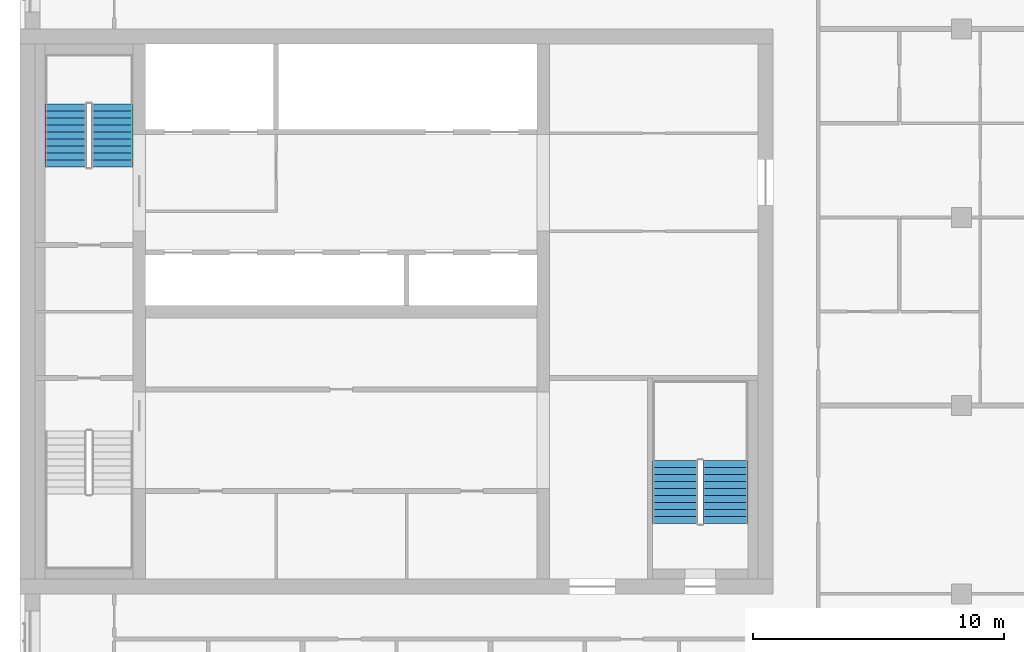
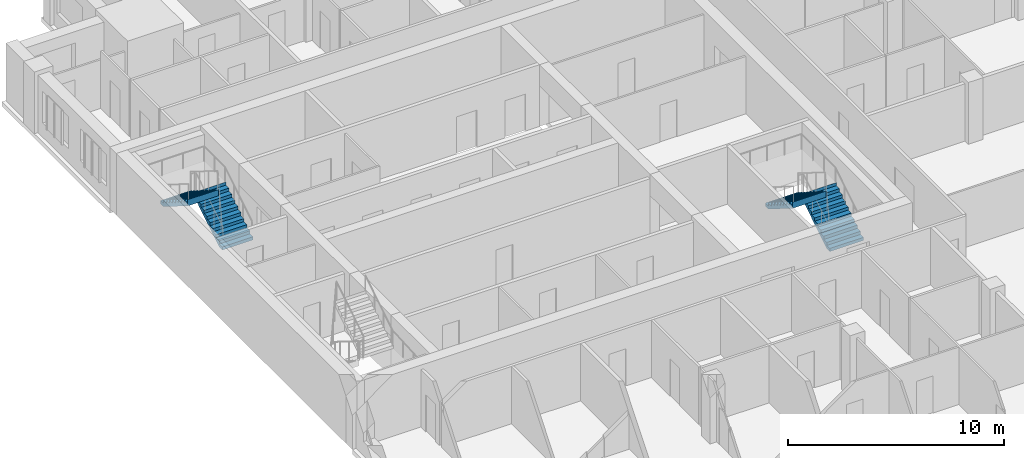
# One storey, part 9 of 10: 4 stair flights, 2 elements without a shape of their own.
"""IFC4 building model written with IfcOpenShell, lengths in metres."""

from ifc_helpers import new_model, si_unit, direction, frame, origin, place, context, subcontext, project, spatial, polyline, outline, extrude, material, type_object, element, aggregate, save


model = new_model("IFC4")

# Units and contexts
model_context = context("Model", 3, precision=1e-05, world=origin(), true_north=direction((0.0, 1.0)))
body_context = subcontext(model_context, "Body", "Model", "MODEL_VIEW")
ifc_project = project(units=[si_unit("LENGTHUNIT", "METRE"), si_unit("AREAUNIT", "SQUARE_METRE"), si_unit("VOLUMEUNIT", "CUBIC_METRE"), si_unit("PLANEANGLEUNIT", "RADIAN"), si_unit("MASSUNIT", "GRAM", prefix="KILO")], contexts=[model_context])

# Site, building, storey
site_placement = place(None, origin())
site = spatial("IfcSite", under=ifc_project, at=site_placement, CompositionType="ELEMENT")
building_placement = place(site_placement, origin())
building = spatial("IfcBuilding", under=site, at=building_placement, Name="Tamorin Gate", CompositionType="ELEMENT")
storey_placement = place(building_placement, frame((0.0, 0.0, 223.199951171875)))
storey = spatial("IfcBuildingStorey", under=building, at=storey_placement, Name="L55", CompositionType="ELEMENT", Elevation=223.199951171875)

# Stair, stair flights
ifc_material = material(Name="Concrete C40/50", Category="concrete")
stair_type = type_object("IfcStairType", Name="Exit stair", PredefinedType="HALF_TURN_STAIR", material=ifc_material)
stair_1_placement = place(storey_placement, origin())
stair_1 = element("IfcStair", 1, at=stair_1_placement, inside=storey, type_object=stair_type, Name="L55 stair ST2", PredefinedType="HALF_TURN_STAIR")
stair_flight_type = type_object("IfcStairFlightType", Name="Exit stair flight", PredefinedType="STRAIGHT", material=ifc_material)
stair_flight_1_placement = place(storey_placement, frame((33.675048828125, 77.0, 0.0), z_axis=(0.0, 0.0, 1.0), x_axis=(0.0, 1.0, 0.0)))
stair_flight_1 = element("IfcStairFlight", 2, at=stair_flight_1_placement, type_object=stair_flight_type, Name="ST2 flight 1", NumberOfRisers=10, NumberOfTreads=9, PredefinedType="STRAIGHT", RiserHeight=0.175, TreadLength=0.28, context=body_context, shape_type="SweptSolid", body=[
    extrude(outline(polyline([(-0.00048828125, 0.0), (-0.00048828125, 0.001708984375), (-0.00048828125, 0.00341796875), (-0.00048828125, 0.005126953125), (-0.00048828125, 0.0068359375), (-0.00048828125, 0.008544921875), (-0.00048828125, 0.010498046875), (-0.00048828125, 0.01220703125), (-0.00048828125, 0.013916015625), (-0.00048828125, 0.015625), (-0.00048828125, 0.017333984375), (-0.00048828125, 0.01904296875), (-0.00048828125, 0.020751953125), (-0.00048828125, 0.0224609375), (-0.00048828125, 0.024169921875), (-0.00048828125, 0.02587890625), (-0.00048828125, 0.02783203125), (-0.00048828125, 0.029541015625), (-0.00048828125, 0.03125), (-0.00048828125, 0.032958984375), (-0.00048828125, 0.03466796875), (-0.00048828125, 0.036376953125), (-0.00048828125, 0.0380859375), (-0.00048828125, 0.039794921875), (-0.00048828125, 0.04150390625), (-0.00048828125, 0.043212890625), (-0.00048828125, 0.045166015625), (-0.00048828125, 0.046875), (-0.00048828125, 0.048583984375), (-0.00048828125, 0.05029296875), (-0.00048828125, 0.052001953125), (-0.00048828125, 0.0537109375), (-0.00048828125, 0.055419921875), (-0.00048828125, 0.05712890625), (-0.00048828125, 0.058837890625), (-0.00048828125, 0.060546875), (-0.00048828125, 0.062255859375), (-0.00048828125, 0.064208984375), (-0.00048828125, 0.06591796875), (-0.00048828125, 0.067626953125), (-0.00048828125, 0.0693359375), (-0.00048828125, 0.071044921875), (-0.00048828125, 0.07275390625), (-0.00048828125, 0.074462890625), (-0.00048828125, 0.076171875), (-0.00048828125, 0.077880859375), (-0.00048828125, 0.07958984375), (-0.00048828125, 0.08154296875), (-0.00048828125, 0.083251953125), (-0.00048828125, 0.0849609375), (-0.00048828125, 0.086669921875), (-0.00048828125, 0.08837890625), (-0.00048828125, 0.090087890625), (-0.00048828125, 0.091796875), (-0.00048828125, 0.093505859375), (-0.00048828125, 0.09521484375), (-0.00048828125, 0.096923828125), (-0.00048828125, 0.098876953125), (-0.00048828125, 0.1005859375), (-0.00048828125, 0.102294921875), (-0.00048828125, 0.10400390625), (-0.00048828125, 0.105712890625), (-0.00048828125, 0.107421875), (-0.00048828125, 0.109130859375), (-0.00048828125, 0.11083984375), (-0.00048828125, 0.112548828125), (-0.00048828125, 0.1142578125), (-0.00048828125, 0.1162109375), (-0.00048828125, 0.117919921875), (-0.00048828125, 0.11962890625), (-0.00048828125, 0.121337890625), (-0.00048828125, 0.123046875), (-0.00048828125, 0.124755859375), (-0.00048828125, 0.12646484375), (-0.00048828125, 0.128173828125), (-0.00048828125, 0.1298828125), (-0.00048828125, 0.131591796875), (-0.00048828125, 0.13330078125), (-0.00048828125, 0.13525390625), (-0.00048828125, 0.136962890625), (-0.00048828125, 0.138671875), (-0.00048828125, 0.140380859375), (-0.00048828125, 0.14208984375), (-0.00048828125, 0.143798828125), (-0.00048828125, 0.1455078125), (-0.00048828125, 0.147216796875), (-0.00048828125, 0.14892578125), (-0.00048828125, 0.150634765625), (-0.00048828125, 0.152587890625), (-0.00048828125, 0.154296875), (-0.00048828125, 0.156005859375), (-0.00048828125, 0.15771484375), (-0.00048828125, 0.159423828125), (-0.00048828125, 0.1611328125), (-0.00048828125, 0.162841796875), (-0.00048828125, 0.16455078125), (-0.00048828125, 0.166259765625), (-0.00048828125, 0.16796875), (-0.00048828125, 0.169921875), (-0.00048828125, 0.171630859375), (-0.00048828125, 0.17333984375), (-0.00048828125, 0.175048828125), (0.280029296875, 0.175048828125), (0.280029296875, 0.35009765625), (0.56005859375, 0.35009765625), (0.56005859375, 0.52490234375), (0.840087890625, 0.52490234375), (0.840087890625, 0.699951171875), (1.1201171875, 0.699951171875), (1.1201171875, 0.875), (1.39990234375, 0.875), (1.39990234375, 1.050048828125), (1.679931640625, 1.050048828125), (1.679931640625, 1.22509765625), (1.9599609375, 1.22509765625), (1.9599609375, 1.39990234375), (2.239990234375, 1.39990234375), (2.239990234375, 1.574951171875), (2.52001953125, 1.574951171875), (2.52001953125, 1.75), (2.5205078125, 1.75), (2.5205078125, 1.74658203125), (2.5205078125, 1.742919921875), (2.5205078125, 1.739501953125), (2.5205078125, 1.736083984375), (2.5205078125, 1.732666015625), (2.5205078125, 1.72900390625), (2.5205078125, 1.7255859375), (2.5205078125, 1.72216796875), (2.5205078125, 1.71875), (2.5205078125, 1.715087890625), (2.5205078125, 1.711669921875), (2.5205078125, 1.708251953125), (2.5205078125, 1.704833984375), (2.5205078125, 1.701171875), (2.5205078125, 1.69775390625), (2.5205078125, 1.6943359375), (2.5205078125, 1.690673828125), (2.5205078125, 1.687255859375), (2.5205078125, 1.683837890625), (2.5205078125, 1.680419921875), (2.5205078125, 1.6767578125), (2.5205078125, 1.67333984375), (2.5205078125, 1.669921875), (2.5205078125, 1.66650390625), (2.5205078125, 1.662841796875), (2.5205078125, 1.659423828125), (2.5205078125, 1.656005859375), (2.5205078125, 1.652587890625), (2.5205078125, 1.64892578125), (2.5205078125, 1.6455078125), (2.5205078125, 1.64208984375), (2.5205078125, 1.638427734375), (2.5205078125, 1.635009765625), (2.5205078125, 1.631591796875), (2.5205078125, 1.628173828125), (2.5205078125, 1.62451171875), (2.5205078125, 1.62109375), (2.5205078125, 1.61767578125), (2.5205078125, 1.6142578125), (2.5205078125, 1.610595703125), (2.5205078125, 1.607177734375), (2.5205078125, 1.603759765625), (2.5205078125, 1.600341796875), (2.5205078125, 1.5966796875), (2.5205078125, 1.59326171875), (2.5205078125, 1.58984375), (2.5205078125, 1.58642578125), (2.5205078125, 1.582763671875), (2.5205078125, 1.579345703125), (2.5205078125, 1.575927734375), (2.5205078125, 1.572265625), (2.5205078125, 1.56884765625), (2.5205078125, 1.5654296875), (2.5205078125, 1.56201171875), (2.5205078125, 1.558349609375), (2.5205078125, 1.554931640625), (2.5205078125, 1.551513671875), (2.5205078125, 1.548095703125), (2.5205078125, 1.54443359375), (2.5205078125, 1.541015625), (2.5205078125, 1.53759765625), (2.5205078125, 1.5341796875), (2.5205078125, 1.530517578125), (2.5205078125, 1.527099609375), (2.5205078125, 1.523681640625), (2.5205078125, 1.52001953125), (2.5205078125, 1.5166015625), (2.5205078125, 1.51318359375), (2.5205078125, 1.509765625), (2.5205078125, 1.506103515625), (2.5205078125, 1.502685546875), (2.5205078125, 1.499267578125), (2.5205078125, 1.495849609375), (2.5205078125, 1.4921875), (2.5205078125, 1.48876953125), (2.5205078125, 1.4853515625), (2.5205078125, 1.48193359375), (2.5205078125, 1.478271484375), (2.5205078125, 1.474853515625), (2.5205078125, 1.471435546875), (2.5205078125, 1.4677734375), (2.5205078125, 1.46435546875), (2.5205078125, 1.4609375), (2.5205078125, 1.45751953125), (2.5205078125, 1.453857421875), (2.5205078125, 1.450439453125), (2.5205078125, 1.447021484375), (2.5205078125, 1.443603515625), (2.5205078125, 1.43994140625), (2.5205078125, 1.4365234375), (2.5205078125, 1.43310546875), (2.5205078125, 1.4296875), (2.5205078125, 1.426025390625), (2.5205078125, 1.422607421875), (2.5205078125, 1.419189453125), (2.5205078125, 1.41552734375), (2.5205078125, 1.412109375), (2.5205078125, 1.40869140625), (2.5205078125, 1.4052734375), (2.5205078125, 1.401611328125), (2.5205078125, 1.398193359375), (2.52001953125, 1.398193359375), (0.28271484375, 0.0), (-0.00048828125, 0.0)])), frame((0.0, 0.824951171875, 0.0), z_axis=(0.0, -1.0, 0.0), x_axis=(1.0, 0.0, 0.0)), (0.0, 0.0, 1.0), 1.64990234375),
])
stair_flight_2_placement = place(storey_placement, frame((31.824951171875, 79.52001953125, 1.75), z_axis=(0.0, 0.0, 1.0), x_axis=(0.0, -1.0, 0.0)))
stair_flight_2 = element("IfcStairFlight", 3, at=stair_flight_2_placement, type_object=stair_flight_type, Name="ST2 flight 2", NumberOfRisers=10, NumberOfTreads=9, PredefinedType="STRAIGHT", RiserHeight=0.175, TreadLength=0.28, context=body_context, shape_type="SweptSolid", body=[
    extrude(outline(polyline([(-0.00048828125, 0.0), (-0.00048828125, 0.001708984375), (-0.00048828125, 0.00341796875), (-0.00048828125, 0.005126953125), (-0.00048828125, 0.0068359375), (-0.00048828125, 0.008544921875), (-0.00048828125, 0.010498046875), (-0.00048828125, 0.01220703125), (-0.00048828125, 0.013916015625), (-0.00048828125, 0.015625), (-0.00048828125, 0.017333984375), (-0.00048828125, 0.01904296875), (-0.00048828125, 0.020751953125), (-0.00048828125, 0.0224609375), (-0.00048828125, 0.024169921875), (-0.00048828125, 0.02587890625), (-0.00048828125, 0.02783203125), (-0.00048828125, 0.029541015625), (-0.00048828125, 0.03125), (-0.00048828125, 0.032958984375), (-0.00048828125, 0.03466796875), (-0.00048828125, 0.036376953125), (-0.00048828125, 0.0380859375), (-0.00048828125, 0.039794921875), (-0.00048828125, 0.04150390625), (-0.00048828125, 0.043212890625), (-0.00048828125, 0.045166015625), (-0.00048828125, 0.046875), (-0.00048828125, 0.048583984375), (-0.00048828125, 0.05029296875), (-0.00048828125, 0.052001953125), (-0.00048828125, 0.0537109375), (-0.00048828125, 0.055419921875), (-0.00048828125, 0.05712890625), (-0.00048828125, 0.058837890625), (-0.00048828125, 0.060546875), (-0.00048828125, 0.062255859375), (-0.00048828125, 0.064208984375), (-0.00048828125, 0.06591796875), (-0.00048828125, 0.067626953125), (-0.00048828125, 0.0693359375), (-0.00048828125, 0.071044921875), (-0.00048828125, 0.07275390625), (-0.00048828125, 0.074462890625), (-0.00048828125, 0.076171875), (-0.00048828125, 0.077880859375), (-0.00048828125, 0.07958984375), (-0.00048828125, 0.08154296875), (-0.00048828125, 0.083251953125), (-0.00048828125, 0.0849609375), (-0.00048828125, 0.086669921875), (-0.00048828125, 0.08837890625), (-0.00048828125, 0.090087890625), (-0.00048828125, 0.091796875), (-0.00048828125, 0.093505859375), (-0.00048828125, 0.09521484375), (-0.00048828125, 0.096923828125), (-0.00048828125, 0.098876953125), (-0.00048828125, 0.1005859375), (-0.00048828125, 0.102294921875), (-0.00048828125, 0.10400390625), (-0.00048828125, 0.105712890625), (-0.00048828125, 0.107421875), (-0.00048828125, 0.109130859375), (-0.00048828125, 0.11083984375), (-0.00048828125, 0.112548828125), (-0.00048828125, 0.1142578125), (-0.00048828125, 0.1162109375), (-0.00048828125, 0.117919921875), (-0.00048828125, 0.11962890625), (-0.00048828125, 0.121337890625), (-0.00048828125, 0.123046875), (-0.00048828125, 0.124755859375), (-0.00048828125, 0.12646484375), (-0.00048828125, 0.128173828125), (-0.00048828125, 0.1298828125), (-0.00048828125, 0.131591796875), (-0.00048828125, 0.13330078125), (-0.00048828125, 0.13525390625), (-0.00048828125, 0.136962890625), (-0.00048828125, 0.138671875), (-0.00048828125, 0.140380859375), (-0.00048828125, 0.14208984375), (-0.00048828125, 0.143798828125), (-0.00048828125, 0.1455078125), (-0.00048828125, 0.147216796875), (-0.00048828125, 0.14892578125), (-0.00048828125, 0.150634765625), (-0.00048828125, 0.152587890625), (-0.00048828125, 0.154296875), (-0.00048828125, 0.156005859375), (-0.00048828125, 0.15771484375), (-0.00048828125, 0.159423828125), (-0.00048828125, 0.1611328125), (-0.00048828125, 0.162841796875), (-0.00048828125, 0.16455078125), (-0.00048828125, 0.166259765625), (-0.00048828125, 0.16796875), (-0.00048828125, 0.169921875), (-0.00048828125, 0.171630859375), (-0.00048828125, 0.17333984375), (-0.00048828125, 0.175048828125), (0.280029296875, 0.175048828125), (0.280029296875, 0.35009765625), (0.56005859375, 0.35009765625), (0.56005859375, 0.52490234375), (0.840087890625, 0.52490234375), (0.840087890625, 0.699951171875), (1.1201171875, 0.699951171875), (1.1201171875, 0.875), (1.39990234375, 0.875), (1.39990234375, 1.050048828125), (1.679931640625, 1.050048828125), (1.679931640625, 1.22509765625), (1.9599609375, 1.22509765625), (1.9599609375, 1.39990234375), (2.239990234375, 1.39990234375), (2.239990234375, 1.574951171875), (2.52001953125, 1.574951171875), (2.52001953125, 1.75), (2.5205078125, 1.75), (2.5205078125, 1.74658203125), (2.5205078125, 1.742919921875), (2.5205078125, 1.739501953125), (2.5205078125, 1.736083984375), (2.5205078125, 1.732666015625), (2.5205078125, 1.72900390625), (2.5205078125, 1.7255859375), (2.5205078125, 1.72216796875), (2.5205078125, 1.71875), (2.5205078125, 1.715087890625), (2.5205078125, 1.711669921875), (2.5205078125, 1.708251953125), (2.5205078125, 1.704833984375), (2.5205078125, 1.701171875), (2.5205078125, 1.69775390625), (2.5205078125, 1.6943359375), (2.5205078125, 1.690673828125), (2.5205078125, 1.687255859375), (2.5205078125, 1.683837890625), (2.5205078125, 1.680419921875), (2.5205078125, 1.6767578125), (2.5205078125, 1.67333984375), (2.5205078125, 1.669921875), (2.5205078125, 1.66650390625), (2.5205078125, 1.662841796875), (2.5205078125, 1.659423828125), (2.5205078125, 1.656005859375), (2.5205078125, 1.652587890625), (2.5205078125, 1.64892578125), (2.5205078125, 1.6455078125), (2.5205078125, 1.64208984375), (2.5205078125, 1.638427734375), (2.5205078125, 1.635009765625), (2.5205078125, 1.631591796875), (2.5205078125, 1.628173828125), (2.5205078125, 1.62451171875), (2.5205078125, 1.62109375), (2.5205078125, 1.61767578125), (2.5205078125, 1.6142578125), (2.5205078125, 1.610595703125), (2.5205078125, 1.607177734375), (2.5205078125, 1.603759765625), (2.5205078125, 1.600341796875), (2.5205078125, 1.5966796875), (2.5205078125, 1.59326171875), (2.5205078125, 1.58984375), (2.5205078125, 1.58642578125), (2.5205078125, 1.582763671875), (2.5205078125, 1.579345703125), (2.5205078125, 1.575927734375), (2.5205078125, 1.572265625), (2.5205078125, 1.56884765625), (2.5205078125, 1.5654296875), (2.5205078125, 1.56201171875), (2.5205078125, 1.558349609375), (2.5205078125, 1.554931640625), (2.5205078125, 1.551513671875), (2.5205078125, 1.548095703125), (2.5205078125, 1.54443359375), (2.5205078125, 1.541015625), (2.5205078125, 1.53759765625), (2.5205078125, 1.5341796875), (2.5205078125, 1.530517578125), (2.5205078125, 1.527099609375), (2.5205078125, 1.523681640625), (2.5205078125, 1.52001953125), (2.5205078125, 1.5166015625), (2.5205078125, 1.51318359375), (2.5205078125, 1.509765625), (2.5205078125, 1.506103515625), (2.5205078125, 1.502685546875), (2.5205078125, 1.499267578125), (2.5205078125, 1.495849609375), (2.5205078125, 1.4921875), (2.5205078125, 1.48876953125), (2.5205078125, 1.4853515625), (2.5205078125, 1.48193359375), (2.5205078125, 1.478271484375), (2.5205078125, 1.474853515625), (2.5205078125, 1.471435546875), (2.5205078125, 1.4677734375), (2.5205078125, 1.46435546875), (2.5205078125, 1.4609375), (2.5205078125, 1.45751953125), (2.5205078125, 1.453857421875), (2.5205078125, 1.450439453125), (2.5205078125, 1.447021484375), (2.5205078125, 1.443603515625), (2.5205078125, 1.43994140625), (2.5205078125, 1.4365234375), (2.5205078125, 1.43310546875), (2.5205078125, 1.4296875), (2.5205078125, 1.426025390625), (2.5205078125, 1.422607421875), (2.5205078125, 1.419189453125), (2.5205078125, 1.41552734375), (2.5205078125, 1.412109375), (2.5205078125, 1.40869140625), (2.5205078125, 1.4052734375), (2.5205078125, 1.401611328125), (2.5205078125, 1.398193359375), (2.52001953125, 1.398193359375), (0.28271484375, 0.0), (-0.00048828125, 0.0)])), frame((0.0, 0.824951171875, 0.0), z_axis=(0.0, -1.0, 0.0), x_axis=(1.0, 0.0, 0.0)), (0.0, 0.0, 1.0), 1.64990234375),
])
aggregate(stair_1, [stair_flight_1, stair_flight_2])

stair_2_placement = place(storey_placement, origin())
stair_2 = element("IfcStair", 4, at=stair_2_placement, inside=storey, type_object=stair_type, Name="L55 stair ST3", PredefinedType="HALF_TURN_STAIR")
stair_flight_3_placement = place(storey_placement, frame((58.10009765625, 62.800048828125, 0.0), z_axis=(0.0, 0.0, 1.0), x_axis=(0.0, 1.0, 0.0)))
stair_flight_3 = element("IfcStairFlight", 5, at=stair_flight_3_placement, type_object=stair_flight_type, Name="ST3 flight 1", NumberOfRisers=10, NumberOfTreads=9, PredefinedType="STRAIGHT", RiserHeight=0.175, TreadLength=0.28, context=body_context, shape_type="SweptSolid", body=[
    extrude(outline(polyline([(-0.00048828125, 0.0), (-0.00048828125, 0.001708984375), (-0.00048828125, 0.00341796875), (-0.00048828125, 0.005126953125), (-0.00048828125, 0.0068359375), (-0.00048828125, 0.008544921875), (-0.00048828125, 0.010498046875), (-0.00048828125, 0.01220703125), (-0.00048828125, 0.013916015625), (-0.00048828125, 0.015625), (-0.00048828125, 0.017333984375), (-0.00048828125, 0.01904296875), (-0.00048828125, 0.020751953125), (-0.00048828125, 0.0224609375), (-0.00048828125, 0.024169921875), (-0.00048828125, 0.02587890625), (-0.00048828125, 0.02783203125), (-0.00048828125, 0.029541015625), (-0.00048828125, 0.03125), (-0.00048828125, 0.032958984375), (-0.00048828125, 0.03466796875), (-0.00048828125, 0.036376953125), (-0.00048828125, 0.0380859375), (-0.00048828125, 0.039794921875), (-0.00048828125, 0.04150390625), (-0.00048828125, 0.043212890625), (-0.00048828125, 0.045166015625), (-0.00048828125, 0.046875), (-0.00048828125, 0.048583984375), (-0.00048828125, 0.05029296875), (-0.00048828125, 0.052001953125), (-0.00048828125, 0.0537109375), (-0.00048828125, 0.055419921875), (-0.00048828125, 0.05712890625), (-0.00048828125, 0.058837890625), (-0.00048828125, 0.060546875), (-0.00048828125, 0.062255859375), (-0.00048828125, 0.064208984375), (-0.00048828125, 0.06591796875), (-0.00048828125, 0.067626953125), (-0.00048828125, 0.0693359375), (-0.00048828125, 0.071044921875), (-0.00048828125, 0.07275390625), (-0.00048828125, 0.074462890625), (-0.00048828125, 0.076171875), (-0.00048828125, 0.077880859375), (-0.00048828125, 0.07958984375), (-0.00048828125, 0.08154296875), (-0.00048828125, 0.083251953125), (-0.00048828125, 0.0849609375), (-0.00048828125, 0.086669921875), (-0.00048828125, 0.08837890625), (-0.00048828125, 0.090087890625), (-0.00048828125, 0.091796875), (-0.00048828125, 0.093505859375), (-0.00048828125, 0.09521484375), (-0.00048828125, 0.096923828125), (-0.00048828125, 0.098876953125), (-0.00048828125, 0.1005859375), (-0.00048828125, 0.102294921875), (-0.00048828125, 0.10400390625), (-0.00048828125, 0.105712890625), (-0.00048828125, 0.107421875), (-0.00048828125, 0.109130859375), (-0.00048828125, 0.11083984375), (-0.00048828125, 0.112548828125), (-0.00048828125, 0.1142578125), (-0.00048828125, 0.1162109375), (-0.00048828125, 0.117919921875), (-0.00048828125, 0.11962890625), (-0.00048828125, 0.121337890625), (-0.00048828125, 0.123046875), (-0.00048828125, 0.124755859375), (-0.00048828125, 0.12646484375), (-0.00048828125, 0.128173828125), (-0.00048828125, 0.1298828125), (-0.00048828125, 0.131591796875), (-0.00048828125, 0.13330078125), (-0.00048828125, 0.13525390625), (-0.00048828125, 0.136962890625), (-0.00048828125, 0.138671875), (-0.00048828125, 0.140380859375), (-0.00048828125, 0.14208984375), (-0.00048828125, 0.143798828125), (-0.00048828125, 0.1455078125), (-0.00048828125, 0.147216796875), (-0.00048828125, 0.14892578125), (-0.00048828125, 0.150634765625), (-0.00048828125, 0.152587890625), (-0.00048828125, 0.154296875), (-0.00048828125, 0.156005859375), (-0.00048828125, 0.15771484375), (-0.00048828125, 0.159423828125), (-0.00048828125, 0.1611328125), (-0.00048828125, 0.162841796875), (-0.00048828125, 0.16455078125), (-0.00048828125, 0.166259765625), (-0.00048828125, 0.16796875), (-0.00048828125, 0.169921875), (-0.00048828125, 0.171630859375), (-0.00048828125, 0.17333984375), (-0.00048828125, 0.175048828125), (0.280029296875, 0.175048828125), (0.280029296875, 0.35009765625), (0.56005859375, 0.35009765625), (0.56005859375, 0.52490234375), (0.840087890625, 0.52490234375), (0.840087890625, 0.699951171875), (1.1201171875, 0.699951171875), (1.1201171875, 0.875), (1.39990234375, 0.875), (1.39990234375, 1.050048828125), (1.679931640625, 1.050048828125), (1.679931640625, 1.22509765625), (1.9599609375, 1.22509765625), (1.9599609375, 1.39990234375), (2.239990234375, 1.39990234375), (2.239990234375, 1.574951171875), (2.52001953125, 1.574951171875), (2.52001953125, 1.75), (2.5205078125, 1.75), (2.5205078125, 1.74658203125), (2.5205078125, 1.742919921875), (2.5205078125, 1.739501953125), (2.5205078125, 1.736083984375), (2.5205078125, 1.732666015625), (2.5205078125, 1.72900390625), (2.5205078125, 1.7255859375), (2.5205078125, 1.72216796875), (2.5205078125, 1.71875), (2.5205078125, 1.715087890625), (2.5205078125, 1.711669921875), (2.5205078125, 1.708251953125), (2.5205078125, 1.704833984375), (2.5205078125, 1.701171875), (2.5205078125, 1.69775390625), (2.5205078125, 1.6943359375), (2.5205078125, 1.690673828125), (2.5205078125, 1.687255859375), (2.5205078125, 1.683837890625), (2.5205078125, 1.680419921875), (2.5205078125, 1.6767578125), (2.5205078125, 1.67333984375), (2.5205078125, 1.669921875), (2.5205078125, 1.66650390625), (2.5205078125, 1.662841796875), (2.5205078125, 1.659423828125), (2.5205078125, 1.656005859375), (2.5205078125, 1.652587890625), (2.5205078125, 1.64892578125), (2.5205078125, 1.6455078125), (2.5205078125, 1.64208984375), (2.5205078125, 1.638427734375), (2.5205078125, 1.635009765625), (2.5205078125, 1.631591796875), (2.5205078125, 1.628173828125), (2.5205078125, 1.62451171875), (2.5205078125, 1.62109375), (2.5205078125, 1.61767578125), (2.5205078125, 1.6142578125), (2.5205078125, 1.610595703125), (2.5205078125, 1.607177734375), (2.5205078125, 1.603759765625), (2.5205078125, 1.600341796875), (2.5205078125, 1.5966796875), (2.5205078125, 1.59326171875), (2.5205078125, 1.58984375), (2.5205078125, 1.58642578125), (2.5205078125, 1.582763671875), (2.5205078125, 1.579345703125), (2.5205078125, 1.575927734375), (2.5205078125, 1.572265625), (2.5205078125, 1.56884765625), (2.5205078125, 1.5654296875), (2.5205078125, 1.56201171875), (2.5205078125, 1.558349609375), (2.5205078125, 1.554931640625), (2.5205078125, 1.551513671875), (2.5205078125, 1.548095703125), (2.5205078125, 1.54443359375), (2.5205078125, 1.541015625), (2.5205078125, 1.53759765625), (2.5205078125, 1.5341796875), (2.5205078125, 1.530517578125), (2.5205078125, 1.527099609375), (2.5205078125, 1.523681640625), (2.5205078125, 1.52001953125), (2.5205078125, 1.5166015625), (2.5205078125, 1.51318359375), (2.5205078125, 1.509765625), (2.5205078125, 1.506103515625), (2.5205078125, 1.502685546875), (2.5205078125, 1.499267578125), (2.5205078125, 1.495849609375), (2.5205078125, 1.4921875), (2.5205078125, 1.48876953125), (2.5205078125, 1.4853515625), (2.5205078125, 1.48193359375), (2.5205078125, 1.478271484375), (2.5205078125, 1.474853515625), (2.5205078125, 1.471435546875), (2.5205078125, 1.4677734375), (2.5205078125, 1.46435546875), (2.5205078125, 1.4609375), (2.5205078125, 1.45751953125), (2.5205078125, 1.453857421875), (2.5205078125, 1.450439453125), (2.5205078125, 1.447021484375), (2.5205078125, 1.443603515625), (2.5205078125, 1.43994140625), (2.5205078125, 1.4365234375), (2.5205078125, 1.43310546875), (2.5205078125, 1.4296875), (2.5205078125, 1.426025390625), (2.5205078125, 1.422607421875), (2.5205078125, 1.419189453125), (2.5205078125, 1.41552734375), (2.5205078125, 1.412109375), (2.5205078125, 1.40869140625), (2.5205078125, 1.4052734375), (2.5205078125, 1.401611328125), (2.5205078125, 1.398193359375), (2.52001953125, 1.398193359375), (0.28271484375, 0.0), (-0.00048828125, 0.0)])), frame((0.0, 0.89990234375, 0.0), z_axis=(0.0, -1.0, 0.0), x_axis=(1.0, 0.0, 0.0)), (0.0, 0.0, 1.0), 1.800048828125),
])
stair_flight_4_placement = place(storey_placement, frame((56.10009765625, 65.320068359375, 1.75), z_axis=(0.0, 0.0, 1.0), x_axis=(0.0, -1.0, 0.0)))
stair_flight_4 = element("IfcStairFlight", 6, at=stair_flight_4_placement, type_object=stair_flight_type, Name="ST3 flight 2", NumberOfRisers=10, NumberOfTreads=9, PredefinedType="STRAIGHT", RiserHeight=0.175, TreadLength=0.28, context=body_context, shape_type="SweptSolid", body=[
    extrude(outline(polyline([(-0.00048828125, 0.0), (-0.00048828125, 0.001708984375), (-0.00048828125, 0.00341796875), (-0.00048828125, 0.005126953125), (-0.00048828125, 0.0068359375), (-0.00048828125, 0.008544921875), (-0.00048828125, 0.010498046875), (-0.00048828125, 0.01220703125), (-0.00048828125, 0.013916015625), (-0.00048828125, 0.015625), (-0.00048828125, 0.017333984375), (-0.00048828125, 0.01904296875), (-0.00048828125, 0.020751953125), (-0.00048828125, 0.0224609375), (-0.00048828125, 0.024169921875), (-0.00048828125, 0.02587890625), (-0.00048828125, 0.02783203125), (-0.00048828125, 0.029541015625), (-0.00048828125, 0.03125), (-0.00048828125, 0.032958984375), (-0.00048828125, 0.03466796875), (-0.00048828125, 0.036376953125), (-0.00048828125, 0.0380859375), (-0.00048828125, 0.039794921875), (-0.00048828125, 0.04150390625), (-0.00048828125, 0.043212890625), (-0.00048828125, 0.045166015625), (-0.00048828125, 0.046875), (-0.00048828125, 0.048583984375), (-0.00048828125, 0.05029296875), (-0.00048828125, 0.052001953125), (-0.00048828125, 0.0537109375), (-0.00048828125, 0.055419921875), (-0.00048828125, 0.05712890625), (-0.00048828125, 0.058837890625), (-0.00048828125, 0.060546875), (-0.00048828125, 0.062255859375), (-0.00048828125, 0.064208984375), (-0.00048828125, 0.06591796875), (-0.00048828125, 0.067626953125), (-0.00048828125, 0.0693359375), (-0.00048828125, 0.071044921875), (-0.00048828125, 0.07275390625), (-0.00048828125, 0.074462890625), (-0.00048828125, 0.076171875), (-0.00048828125, 0.077880859375), (-0.00048828125, 0.07958984375), (-0.00048828125, 0.08154296875), (-0.00048828125, 0.083251953125), (-0.00048828125, 0.0849609375), (-0.00048828125, 0.086669921875), (-0.00048828125, 0.08837890625), (-0.00048828125, 0.090087890625), (-0.00048828125, 0.091796875), (-0.00048828125, 0.093505859375), (-0.00048828125, 0.09521484375), (-0.00048828125, 0.096923828125), (-0.00048828125, 0.098876953125), (-0.00048828125, 0.1005859375), (-0.00048828125, 0.102294921875), (-0.00048828125, 0.10400390625), (-0.00048828125, 0.105712890625), (-0.00048828125, 0.107421875), (-0.00048828125, 0.109130859375), (-0.00048828125, 0.11083984375), (-0.00048828125, 0.112548828125), (-0.00048828125, 0.1142578125), (-0.00048828125, 0.1162109375), (-0.00048828125, 0.117919921875), (-0.00048828125, 0.11962890625), (-0.00048828125, 0.121337890625), (-0.00048828125, 0.123046875), (-0.00048828125, 0.124755859375), (-0.00048828125, 0.12646484375), (-0.00048828125, 0.128173828125), (-0.00048828125, 0.1298828125), (-0.00048828125, 0.131591796875), (-0.00048828125, 0.13330078125), (-0.00048828125, 0.13525390625), (-0.00048828125, 0.136962890625), (-0.00048828125, 0.138671875), (-0.00048828125, 0.140380859375), (-0.00048828125, 0.14208984375), (-0.00048828125, 0.143798828125), (-0.00048828125, 0.1455078125), (-0.00048828125, 0.147216796875), (-0.00048828125, 0.14892578125), (-0.00048828125, 0.150634765625), (-0.00048828125, 0.152587890625), (-0.00048828125, 0.154296875), (-0.00048828125, 0.156005859375), (-0.00048828125, 0.15771484375), (-0.00048828125, 0.159423828125), (-0.00048828125, 0.1611328125), (-0.00048828125, 0.162841796875), (-0.00048828125, 0.16455078125), (-0.00048828125, 0.166259765625), (-0.00048828125, 0.16796875), (-0.00048828125, 0.169921875), (-0.00048828125, 0.171630859375), (-0.00048828125, 0.17333984375), (-0.00048828125, 0.175048828125), (0.280029296875, 0.175048828125), (0.280029296875, 0.35009765625), (0.56005859375, 0.35009765625), (0.56005859375, 0.52490234375), (0.840087890625, 0.52490234375), (0.840087890625, 0.699951171875), (1.1201171875, 0.699951171875), (1.1201171875, 0.875), (1.39990234375, 0.875), (1.39990234375, 1.050048828125), (1.679931640625, 1.050048828125), (1.679931640625, 1.22509765625), (1.9599609375, 1.22509765625), (1.9599609375, 1.39990234375), (2.239990234375, 1.39990234375), (2.239990234375, 1.574951171875), (2.52001953125, 1.574951171875), (2.52001953125, 1.75), (2.5205078125, 1.75), (2.5205078125, 1.74658203125), (2.5205078125, 1.742919921875), (2.5205078125, 1.739501953125), (2.5205078125, 1.736083984375), (2.5205078125, 1.732666015625), (2.5205078125, 1.72900390625), (2.5205078125, 1.7255859375), (2.5205078125, 1.72216796875), (2.5205078125, 1.71875), (2.5205078125, 1.715087890625), (2.5205078125, 1.711669921875), (2.5205078125, 1.708251953125), (2.5205078125, 1.704833984375), (2.5205078125, 1.701171875), (2.5205078125, 1.69775390625), (2.5205078125, 1.6943359375), (2.5205078125, 1.690673828125), (2.5205078125, 1.687255859375), (2.5205078125, 1.683837890625), (2.5205078125, 1.680419921875), (2.5205078125, 1.6767578125), (2.5205078125, 1.67333984375), (2.5205078125, 1.669921875), (2.5205078125, 1.66650390625), (2.5205078125, 1.662841796875), (2.5205078125, 1.659423828125), (2.5205078125, 1.656005859375), (2.5205078125, 1.652587890625), (2.5205078125, 1.64892578125), (2.5205078125, 1.6455078125), (2.5205078125, 1.64208984375), (2.5205078125, 1.638427734375), (2.5205078125, 1.635009765625), (2.5205078125, 1.631591796875), (2.5205078125, 1.628173828125), (2.5205078125, 1.62451171875), (2.5205078125, 1.62109375), (2.5205078125, 1.61767578125), (2.5205078125, 1.6142578125), (2.5205078125, 1.610595703125), (2.5205078125, 1.607177734375), (2.5205078125, 1.603759765625), (2.5205078125, 1.600341796875), (2.5205078125, 1.5966796875), (2.5205078125, 1.59326171875), (2.5205078125, 1.58984375), (2.5205078125, 1.58642578125), (2.5205078125, 1.582763671875), (2.5205078125, 1.579345703125), (2.5205078125, 1.575927734375), (2.5205078125, 1.572265625), (2.5205078125, 1.56884765625), (2.5205078125, 1.5654296875), (2.5205078125, 1.56201171875), (2.5205078125, 1.558349609375), (2.5205078125, 1.554931640625), (2.5205078125, 1.551513671875), (2.5205078125, 1.548095703125), (2.5205078125, 1.54443359375), (2.5205078125, 1.541015625), (2.5205078125, 1.53759765625), (2.5205078125, 1.5341796875), (2.5205078125, 1.530517578125), (2.5205078125, 1.527099609375), (2.5205078125, 1.523681640625), (2.5205078125, 1.52001953125), (2.5205078125, 1.5166015625), (2.5205078125, 1.51318359375), (2.5205078125, 1.509765625), (2.5205078125, 1.506103515625), (2.5205078125, 1.502685546875), (2.5205078125, 1.499267578125), (2.5205078125, 1.495849609375), (2.5205078125, 1.4921875), (2.5205078125, 1.48876953125), (2.5205078125, 1.4853515625), (2.5205078125, 1.48193359375), (2.5205078125, 1.478271484375), (2.5205078125, 1.474853515625), (2.5205078125, 1.471435546875), (2.5205078125, 1.4677734375), (2.5205078125, 1.46435546875), (2.5205078125, 1.4609375), (2.5205078125, 1.45751953125), (2.5205078125, 1.453857421875), (2.5205078125, 1.450439453125), (2.5205078125, 1.447021484375), (2.5205078125, 1.443603515625), (2.5205078125, 1.43994140625), (2.5205078125, 1.4365234375), (2.5205078125, 1.43310546875), (2.5205078125, 1.4296875), (2.5205078125, 1.426025390625), (2.5205078125, 1.422607421875), (2.5205078125, 1.419189453125), (2.5205078125, 1.41552734375), (2.5205078125, 1.412109375), (2.5205078125, 1.40869140625), (2.5205078125, 1.4052734375), (2.5205078125, 1.401611328125), (2.5205078125, 1.398193359375), (2.52001953125, 1.398193359375), (0.28271484375, 0.0), (-0.00048828125, 0.0)])), frame((0.0, 0.89990234375, 0.0), z_axis=(0.0, -1.0, 0.0), x_axis=(1.0, 0.0, 0.0)), (0.0, 0.0, 1.0), 1.800048828125),
])
aggregate(stair_2, [stair_flight_3, stair_flight_4])

save(model, "model.ifc")
